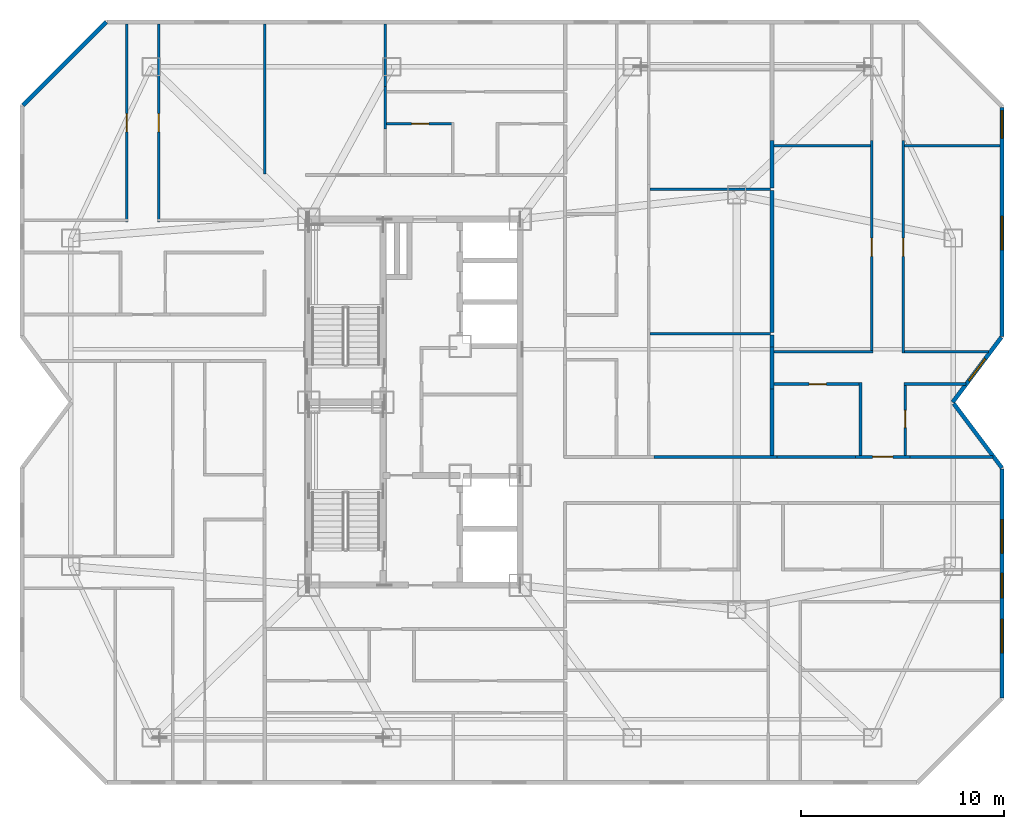
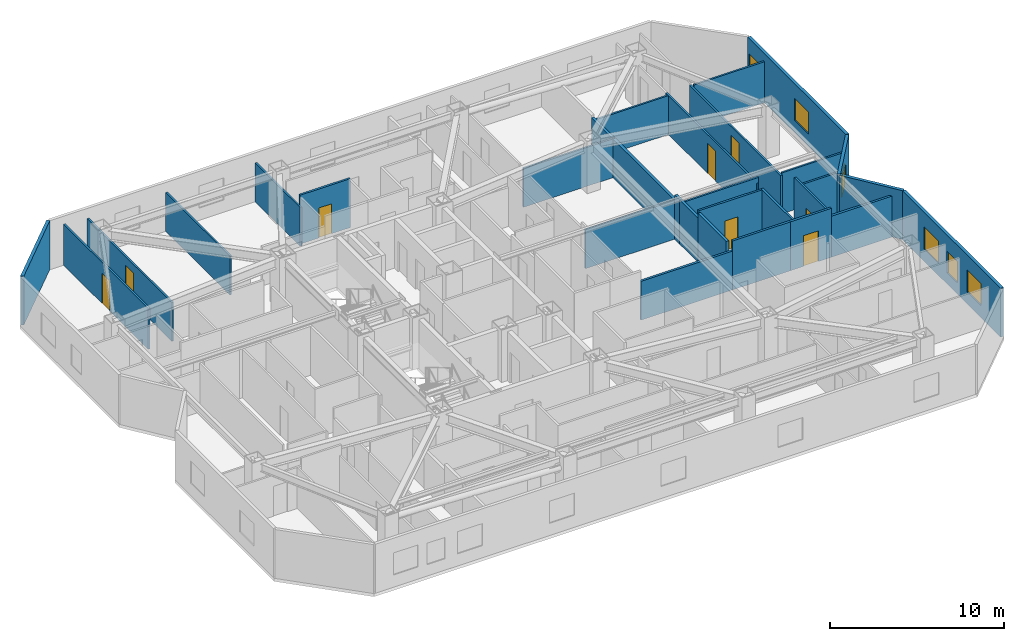
# One storey, part 9 of 11: 32 walls, 8 doors, 6 windows, 14 openings.
"""IFC4 building model written with IfcOpenShell, lengths in metres."""

from ifc_helpers import new_model, si_unit, direction, frame, frame_2d, origin, place, context, subcontext, project, spatial, rectangle, extrude, material, layer, layer_set, type_object, element, fill, save


model = new_model("IFC4")

# Units and contexts
model_context = context("Model", 3, precision=1e-05, world=origin(), true_north=direction((0.0, 1.0)))
body_context = subcontext(model_context, "Body", "Model", "MODEL_VIEW")
ifc_project = project(units=[si_unit("LENGTHUNIT", "METRE"), si_unit("AREAUNIT", "SQUARE_METRE"), si_unit("VOLUMEUNIT", "CUBIC_METRE"), si_unit("PLANEANGLEUNIT", "RADIAN"), si_unit("MASSUNIT", "GRAM", prefix="KILO")], contexts=[model_context])

# Site, building, storey
site_placement = place(None, origin())
site = spatial("IfcSite", under=ifc_project, at=site_placement, CompositionType="ELEMENT")
building_placement = place(site_placement, origin())
building = spatial("IfcBuilding", under=site, at=building_placement, Name="Khamvora Tower", CompositionType="ELEMENT")
storey_placement = place(building_placement, frame((0.0, 0.0, 185.10009765625)))
storey = spatial("IfcBuildingStorey", under=building, at=storey_placement, Name="L47", CompositionType="ELEMENT", Elevation=185.10009765625)

# Wall
ifc_material_1 = material(Name="Fire-Rated Drywall and Steel Stud", Category="steel")
ifc_layer_1 = layer(ifc_material_1, 0.14990234375)
ifc_layer_set_1 = layer_set([ifc_layer_1], Name="Fire-Rated Drywall and Steel Stud")
wall_type_1 = type_object("IfcWallType", Name="WAL-CORR-150", PredefinedType="STANDARD", material=ifc_layer_set_1)
wall_1_placement = place(storey_placement, frame((45.97412109375, 25.31494140625, 0.0), z_axis=(0.0, 0.0, 1.0), x_axis=(1.0, 0.0, 0.0)))
element("IfcWall", 1, at=wall_1_placement, inside=storey, type_object=wall_type_1, Name="L47 interior partition wall 038", PredefinedType="STANDARD", context=body_context, shape_type="SweptSolid", body=[
    extrude(rectangle(XDim=6.059814453125, YDim=0.14990234375, at=frame_2d((3.02978515625, 0.0))), origin(), (0.0, 0.0, 1.0), 2.724853515625),
])

# Wall, opening, door
wall_2_placement = place(storey_placement, frame((55.889892578125, 25.31494140625, 0.0), z_axis=(0.0, 0.0, 1.0), x_axis=(1.0, 0.0, 0.0)))
wall_2 = element("IfcWall", 2, at=wall_2_placement, inside=storey, type_object=wall_type_1, Name="L47 interior partition wall 039", PredefinedType="STANDARD", context=body_context, shape_type="SweptSolid", body=[
    extrude(rectangle(XDim=2.697998046875, YDim=0.14990234375, at=frame_2d((1.34912109375, 0.0))), origin(), (0.0, 0.0, 1.0), 3.429931640625),
])
opening_1_placement = place(wall_2_placement, frame((0.84912109375, 0.0, 0.0)))
opening_1 = element("IfcOpeningElement", 3, at=opening_1_placement, cuts=wall_2, Name="Opening D-U1", PredefinedType="OPENING", context=body_context, shape_type="SweptSolid", body=[
    extrude(rectangle(XDim=1.0, YDim=2.14990234375, at=frame_2d((0.5, 1.074951171875))), frame((0.0, 0.0849609375, 0.0), z_axis=(0.0, -1.0, 0.0), x_axis=(1.0, 0.0, 0.0)), (0.0, 0.0, 1.0), 0.169921875),
])
ifc_material_2 = material(Name="Powder-Coated Steel and Hardwood Leaf", Category="steel")
door_type_1 = type_object("IfcDoorType", Name="DOR-UNIT-1000", OperationType="NOTDEFINED", PredefinedType="DOOR", material=ifc_material_2)
door_1_placement = place(opening_1_placement, origin())
door_1 = element("IfcDoor", 4, at=door_1_placement, inside=storey, type_object=door_type_1, Name="L47 interior door COR-47ECH", OperationType="SINGLE_SWING_RIGHT", OverallHeight=2.14990234375, OverallWidth=1.0, PredefinedType="DOOR", context=body_context, shape_type="SweptSolid", body=[
    extrude(rectangle(XDim=1.0, YDim=2.14990234375, at=frame_2d((0.5, 1.074951171875))), frame((0.0, 0.02490234375, 0.0), z_axis=(0.0, -1.0, 0.0), x_axis=(1.0, 0.0, 0.0)), (0.0, 0.0, 1.0), 0.050048828125),
])
fill(opening_1, door_1)

# Walls
wall_3_placement = place(storey_placement, frame((58.587890625, 25.31494140625, 0.0), z_axis=(0.0, 0.0, 1.0), x_axis=(1.0, 0.0, 0.0)))
element("IfcWall", 5, at=wall_3_placement, inside=storey, type_object=wall_type_1, Name="L47 interior partition wall 040", PredefinedType="STANDARD", context=body_context, shape_type="SweptSolid", body=[
    extrude(rectangle(XDim=4.07421875, YDim=0.14990234375, at=frame_2d((2.037109375, 0.0))), origin(), (0.0, 0.0, 1.0), 2.8759765625),
])
wall_4_placement = place(storey_placement, frame((52.033935546875, 25.31494140625, 0.0), z_axis=(0.0, 0.0, 1.0), x_axis=(1.0, 0.0, 0.0)))
element("IfcWall", 6, at=wall_4_placement, inside=storey, type_object=wall_type_1, Name="L47 interior partition wall 041", PredefinedType="STANDARD", context=body_context, shape_type="SweptSolid", body=[
    extrude(rectangle(XDim=3.85595703125, YDim=0.14990234375, at=frame_2d((1.927978515625, 0.0))), origin(), (0.0, 0.0, 1.0), 3.429931640625),
])
ifc_material_3 = material(Name="Acoustic Double-Stud Fire Wall", Category="gypsum")
ifc_layer_2 = layer(ifc_material_3, 0.179931640625)
ifc_layer_set_2 = layer_set([ifc_layer_2], Name="Acoustic Double-Stud Fire Wall")
wall_type_2 = type_object("IfcWallType", Name="WAL-CORR-180", PredefinedType="STANDARD", material=ifc_layer_set_2)
wall_5_placement = place(storey_placement, frame((51.784912109375, 30.72412109375, 0.0), z_axis=(0.0, 0.0, 1.0), x_axis=(0.0, -1.0, 0.0)))
element("IfcWall", 7, at=wall_5_placement, inside=storey, type_object=wall_type_2, Name="L47 interior partition wall 116", PredefinedType="STANDARD", context=body_context, shape_type="SweptSolid", body=[
    extrude(rectangle(XDim=2.078125, YDim=0.179931640625, at=frame_2d((1.0390625, 0.0))), origin(), (0.0, 0.0, 1.0), 3.10693359375),
])
wall_6_placement = place(storey_placement, frame((51.784912109375, 28.64599609375, 0.0), z_axis=(0.0, 0.0, 1.0), x_axis=(0.0, -1.0, 0.0)))
element("IfcWall", 8, at=wall_6_placement, inside=storey, type_object=wall_type_2, Name="L47 interior partition wall 117", PredefinedType="STANDARD", context=body_context, shape_type="SweptSolid", body=[
    extrude(rectangle(XDim=3.263916015625, YDim=0.179931640625, at=frame_2d((1.6318359375, 0.0))), origin(), (0.0, 0.0, 1.0), 3.429931640625),
])
wall_7_placement = place(storey_placement, frame((51.784912109375, 31.299072265625, 0.0), z_axis=(0.0, 0.0, 1.0), x_axis=(0.0, -1.0, 0.0)))
element("IfcWall", 9, at=wall_7_placement, inside=storey, type_object=wall_type_2, Name="L47 interior partition wall 118", PredefinedType="STANDARD", context=body_context, shape_type="SweptSolid", body=[
    extrude(rectangle(XDim=0.574951171875, YDim=0.179931640625, at=frame_2d((0.28759765625, 0.0))), origin(), (0.0, 0.0, 1.0), 3.10693359375),
])
wall_8_placement = place(storey_placement, frame((51.784912109375, 38.403076171875, 0.0), z_axis=(0.0, 0.0, 1.0), x_axis=(0.0, -1.0, 0.0)))
element("IfcWall", 10, at=wall_8_placement, inside=storey, type_object=wall_type_2, Name="L47 interior partition wall 120", PredefinedType="STANDARD", context=body_context, shape_type="SweptSolid", body=[
    extrude(rectangle(XDim=6.97412109375, YDim=0.179931640625, at=frame_2d((3.487060546875, 0.0))), origin(), (0.0, 0.0, 1.0), 2.724853515625),
])
wall_9_placement = place(storey_placement, frame((51.784912109375, 40.867919921875, 0.0), z_axis=(0.0, 0.0, 1.0), x_axis=(0.0, -1.0, 0.0)))
element("IfcWall", 11, at=wall_9_placement, inside=storey, type_object=wall_type_2, Name="L47 interior partition wall 121", PredefinedType="STANDARD", context=body_context, shape_type="SweptSolid", body=[
    extrude(rectangle(XDim=2.3349609375, YDim=0.179931640625, at=frame_2d((1.16748046875, 0.0))), origin(), (0.0, 0.0, 1.0), 2.724853515625),
])
ifc_material_4 = material(Name="Precast concrete C40/50", Category="concrete")
ifc_layer_3 = layer(ifc_material_4, 0.199951171875)
ifc_layer_set_3 = layer_set([ifc_layer_3], Name="Precast concrete C40/50")
wall_type_3 = type_object("IfcWallType", Name="WAL-EXT-200", PredefinedType="STANDARD", material=ifc_layer_set_3)
wall_10_placement = place(storey_placement, frame((14.945068359375, 42.60400390625, 0.0), z_axis=(0.0, 0.0, 1.0), x_axis=(0.707106781187, 0.707106781187, 0.0)))
element("IfcWall", 12, at=wall_10_placement, inside=storey, type_object=wall_type_3, Name="L47 exterior facade wall 06.1", PredefinedType="STANDARD", context=body_context, shape_type="SweptSolid", body=[
    extrude(rectangle(XDim=5.79248046875, YDim=0.199951171875, at=frame_2d((2.896240234375, 0.0))), origin(), (0.0, 0.0, 1.0), 3.429931640625),
])

# Wall, openings, windows
wall_11_placement = place(storey_placement, frame((63.10009765625, 42.49609375, 0.0), z_axis=(0.0, 0.0, 1.0), x_axis=(0.0, -1.0, 0.0)))
wall_11 = element("IfcWall", 13, at=wall_11_placement, inside=storey, type_object=wall_type_3, Name="L47 exterior facade wall 09.1", PredefinedType="STANDARD", context=body_context, shape_type="SweptSolid", body=[
    extrude(rectangle(XDim=11.26318359375, YDim=0.199951171875, at=frame_2d((5.631591796875, 0.0))), origin(), (0.0, 0.0, 1.0), 3.429931640625),
])
opening_2_placement = place(wall_11_placement, frame((5.35302734375, 0.0, 0.85009765625)))
opening_2 = element("IfcOpeningElement", 14, at=opening_2_placement, cuts=wall_11, Name="Opening WN-06", PredefinedType="OPENING", context=body_context, shape_type="SweptSolid", body=[
    extrude(rectangle(XDim=1.64990234375, YDim=1.550048828125, at=frame_2d((0.824951171875, 0.77490234375))), frame((0.0, 0.10986328125, 0.0), z_axis=(0.0, -1.0, 0.0), x_axis=(1.0, 0.0, 0.0)), (0.0, 0.0, 1.0), 0.219970703125),
])
opening_3_placement = place(wall_11_placement, frame((0.156005859375, 0.0, 0.85009765625)))
opening_3 = element("IfcOpeningElement", 15, at=opening_3_placement, cuts=wall_11, Name="Opening WN-07", PredefinedType="OPENING", context=body_context, shape_type="SweptSolid", body=[
    extrude(rectangle(XDim=1.35009765625, YDim=1.5, at=frame_2d((0.675048828125, 0.75))), frame((0.0, 0.10986328125, 0.0), z_axis=(0.0, -1.0, 0.0), x_axis=(1.0, 0.0, 0.0)), (0.0, 0.0, 1.0), 0.219970703125),
])
ifc_material_5 = material(Name="Low-E Laminated Double Glazing", Category="glass")
window_type_1 = type_object("IfcWindowType", Name="WIN-VIS-1350x1500", PartitioningType="SINGLE_PANEL", PredefinedType="WINDOW", material=ifc_material_5)
window_1_placement = place(opening_3_placement, origin())
window_1 = element("IfcWindow", 16, at=window_1_placement, inside=storey, type_object=window_type_1, Name="L47 vision window 09.1.02", OverallHeight=1.5, OverallWidth=1.35009765625, PartitioningType="SINGLE_PANEL", PredefinedType="WINDOW", context=body_context, shape_type="SweptSolid", body=[
    extrude(rectangle(XDim=1.35009765625, YDim=1.5, at=frame_2d((0.675048828125, 0.75))), frame((0.0, 0.030029296875, 0.0), z_axis=(0.0, -1.0, 0.0), x_axis=(1.0, 0.0, 0.0)), (0.0, 0.0, 1.0), 0.06005859375),
])
fill(opening_3, window_1)
window_type_2 = type_object("IfcWindowType", Name="WIN-VIS-1650x1550", PartitioningType="SINGLE_PANEL", PredefinedType="WINDOW", material=ifc_material_5)
window_2_placement = place(opening_2_placement, origin())
window_2 = element("IfcWindow", 17, at=window_2_placement, inside=storey, type_object=window_type_2, Name="L47 vision window 09.1.01", OverallHeight=1.550048828125, OverallWidth=1.64990234375, PartitioningType="SINGLE_PANEL", PredefinedType="WINDOW", context=body_context, shape_type="SweptSolid", body=[
    extrude(rectangle(XDim=1.64990234375, YDim=1.550048828125, at=frame_2d((0.824951171875, 0.77490234375))), frame((0.0, 0.030029296875, 0.0), z_axis=(0.0, -1.0, 0.0), x_axis=(1.0, 0.0, 0.0)), (0.0, 0.0, 1.0), 0.06005859375),
])
fill(opening_2, window_2)

# Wall, opening, window
wall_12_placement = place(storey_placement, frame((63.069091796875, 31.19091796875, 0.0), z_axis=(0.0, 0.0, 1.0), x_axis=(-0.600137081448, -0.799897170561, 0.0)))
wall_12 = element("IfcWall", 18, at=wall_12_placement, inside=storey, type_object=wall_type_3, Name="L47 exterior facade wall 10.1", PredefinedType="STANDARD", context=body_context, shape_type="SweptSolid", body=[
    extrude(rectangle(XDim=3.9892578125, YDim=0.199951171875, at=frame_2d((1.99462890625, 0.0))), origin(), (0.0, 0.0, 1.0), 3.429931640625),
])
opening_4_placement = place(wall_12_placement, frame((1.318115234375, 0.0, 0.85009765625)))
opening_4 = element("IfcOpeningElement", 19, at=opening_4_placement, cuts=wall_12, Name="Opening WN-07", PredefinedType="OPENING", context=body_context, shape_type="SweptSolid", body=[
    extrude(rectangle(XDim=1.35009765625, YDim=1.5, at=frame_2d((0.675048828125, 0.75))), frame((0.0, 0.10986328125, 0.0), z_axis=(0.0, -1.0, 0.0), x_axis=(1.0, 0.0, 0.0)), (0.0, 0.0, 1.0), 0.219970703125),
])
window_3_placement = place(opening_4_placement, origin())
window_3 = element("IfcWindow", 20, at=window_3_placement, inside=storey, type_object=window_type_1, Name="L47 vision window 10.1.01", OverallHeight=1.5, OverallWidth=1.35009765625, PartitioningType="SINGLE_PANEL", PredefinedType="WINDOW", context=body_context, shape_type="SweptSolid", body=[
    extrude(rectangle(XDim=1.35009765625, YDim=1.5, at=frame_2d((0.675048828125, 0.75))), frame((0.0, 0.030029296875, 0.0), z_axis=(0.0, -1.0, 0.0), x_axis=(1.0, 0.0, 0.0)), (0.0, 0.0, 1.0), 0.06005859375),
])
fill(opening_4, window_3)

# Wall
wall_13_placement = place(storey_placement, frame((60.72705078125, 27.930908203125, 0.0), z_axis=(0.0, 0.0, 1.0), x_axis=(0.600029630681, -0.799977776132, 0.0)))
element("IfcWall", 21, at=wall_13_placement, inside=storey, type_object=wall_type_3, Name="L47 exterior facade wall 11.1", PredefinedType="STANDARD", context=body_context, shape_type="SweptSolid", body=[
    extrude(rectangle(XDim=3.954833984375, YDim=0.199951171875, at=frame_2d((1.9775390625, 0.0))), origin(), (0.0, 0.0, 1.0), 3.429931640625),
])

# Wall, openings, windows
wall_14_placement = place(storey_placement, frame((63.10009765625, 24.717041015625, 0.0), z_axis=(0.0, 0.0, 1.0), x_axis=(0.0, -1.0, 0.0)))
wall_14 = element("IfcWall", 22, at=wall_14_placement, inside=storey, type_object=wall_type_3, Name="L47 exterior facade wall 12.1", PredefinedType="STANDARD", context=body_context, shape_type="SweptSolid", body=[
    extrude(rectangle(XDim=11.276123046875, YDim=0.199951171875, at=frame_2d((5.63818359375, 0.0))), origin(), (0.0, 0.0, 1.0), 3.429931640625),
])
opening_5_placement = place(wall_14_placement, frame((2.490966796875, 0.0, 0.85009765625)))
opening_5 = element("IfcOpeningElement", 23, at=opening_5_placement, cuts=wall_14, Name="Opening WN-06", PredefinedType="OPENING", context=body_context, shape_type="SweptSolid", body=[
    extrude(rectangle(XDim=1.64990234375, YDim=1.550048828125, at=frame_2d((0.824951171875, 0.77490234375))), frame((0.0, 0.10986328125, 0.0), z_axis=(0.0, -1.0, 0.0), x_axis=(1.0, 0.0, 0.0)), (0.0, 0.0, 1.0), 0.219970703125),
])
opening_6_placement = place(wall_14_placement, frame((5.14111328125, 0.0, 0.800048828125)))
opening_6 = element("IfcOpeningElement", 24, at=opening_6_placement, cuts=wall_14, Name="Opening WN-03", PredefinedType="OPENING", context=body_context, shape_type="SweptSolid", body=[
    extrude(rectangle(XDim=1.199951171875, YDim=1.5, at=frame_2d((0.60009765625, 0.75))), frame((0.0, 0.10986328125, 0.0), z_axis=(0.0, -1.0, 0.0), x_axis=(1.0, 0.0, 0.0)), (0.0, 0.0, 1.0), 0.219970703125),
])
opening_7_placement = place(wall_14_placement, frame((7.39501953125, 0.0, 0.85009765625)))
opening_7 = element("IfcOpeningElement", 25, at=opening_7_placement, cuts=wall_14, Name="Opening WN-06", PredefinedType="OPENING", context=body_context, shape_type="SweptSolid", body=[
    extrude(rectangle(XDim=1.64990234375, YDim=1.550048828125, at=frame_2d((0.824951171875, 0.77490234375))), frame((0.0, 0.10986328125, 0.0), z_axis=(0.0, -1.0, 0.0), x_axis=(1.0, 0.0, 0.0)), (0.0, 0.0, 1.0), 0.219970703125),
])
window_type_3 = type_object("IfcWindowType", Name="WIN-VIS-1200x1500", PartitioningType="SINGLE_PANEL", PredefinedType="WINDOW", material=ifc_material_5)
window_4_placement = place(opening_6_placement, origin())
window_4 = element("IfcWindow", 26, at=window_4_placement, inside=storey, type_object=window_type_3, Name="L47 vision window 12.1.02", OverallHeight=1.5, OverallWidth=1.199951171875, PartitioningType="SINGLE_PANEL", PredefinedType="WINDOW", context=body_context, shape_type="SweptSolid", body=[
    extrude(rectangle(XDim=1.199951171875, YDim=1.5, at=frame_2d((0.60009765625, 0.75))), frame((0.0, 0.030029296875, 0.0), z_axis=(0.0, -1.0, 0.0), x_axis=(1.0, 0.0, 0.0)), (0.0, 0.0, 1.0), 0.06005859375),
])
fill(opening_6, window_4)
window_5_placement = place(opening_5_placement, origin())
window_5 = element("IfcWindow", 27, at=window_5_placement, inside=storey, type_object=window_type_2, Name="L47 vision window 12.1.01", OverallHeight=1.550048828125, OverallWidth=1.64990234375, PartitioningType="SINGLE_PANEL", PredefinedType="WINDOW", context=body_context, shape_type="SweptSolid", body=[
    extrude(rectangle(XDim=1.64990234375, YDim=1.550048828125, at=frame_2d((0.824951171875, 0.77490234375))), frame((0.0, 0.030029296875, 0.0), z_axis=(0.0, -1.0, 0.0), x_axis=(1.0, 0.0, 0.0)), (0.0, 0.0, 1.0), 0.06005859375),
])
fill(opening_5, window_5)
window_6_placement = place(opening_7_placement, origin())
window_6 = element("IfcWindow", 28, at=window_6_placement, inside=storey, type_object=window_type_2, Name="L47 vision window 12.1.03", OverallHeight=1.550048828125, OverallWidth=1.64990234375, PartitioningType="SINGLE_PANEL", PredefinedType="WINDOW", context=body_context, shape_type="SweptSolid", body=[
    extrude(rectangle(XDim=1.64990234375, YDim=1.550048828125, at=frame_2d((0.824951171875, 0.77490234375))), frame((0.0, 0.030029296875, 0.0), z_axis=(0.0, -1.0, 0.0), x_axis=(1.0, 0.0, 0.0)), (0.0, 0.0, 1.0), 0.06005859375),
])
fill(opening_7, window_6)

# Walls
ifc_material_6 = material(Name="Gypsum Plasterboard Partition", Category="gypsum")
ifc_layer_4 = layer(ifc_material_6, 0.1201171875)
ifc_layer_set_4 = layer_set([ifc_layer_4], Name="Gypsum Plasterboard Partition")
wall_type_4 = type_object("IfcWallType", Name="WAL-PART-120", PredefinedType="PARTITIONING", material=ifc_layer_set_4)
wall_15_placement = place(storey_placement, frame((26.8349609375, 39.22998046875, 0.0), z_axis=(0.0, 0.0, 1.0), x_axis=(0.0, 1.0, 0.0)))
element("IfcWall", 29, at=wall_15_placement, inside=storey, type_object=wall_type_4, Name="L47 interior partition wall 042", PredefinedType="PARTITIONING", context=body_context, shape_type="SweptSolid", body=[
    extrude(rectangle(XDim=7.3779296875, YDim=0.1201171875, at=frame_2d((3.68896484375, 0.0))), origin(), (0.0, 0.0, 1.0), 2.724853515625),
])
wall_16_placement = place(storey_placement, frame((32.764892578125, 43.52392578125, 0.0), z_axis=(0.0, 0.0, 1.0), x_axis=(0.0, -1.0, 0.0)))
element("IfcWall", 30, at=wall_16_placement, inside=storey, type_object=wall_type_4, Name="L47 interior partition wall 043", PredefinedType="PARTITIONING", context=body_context, shape_type="SweptSolid", body=[
    extrude(rectangle(XDim=2.077880859375, YDim=0.1201171875, at=frame_2d((1.0390625, 0.0))), origin(), (0.0, 0.0, 1.0), 2.724853515625),
])
wall_17_placement = place(storey_placement, frame((32.764892578125, 46.60791015625, 0.0), z_axis=(0.0, 0.0, 1.0), x_axis=(0.0, -1.0, 0.0)))
element("IfcWall", 31, at=wall_17_placement, inside=storey, type_object=wall_type_4, Name="L47 interior partition wall 045", PredefinedType="PARTITIONING", context=body_context, shape_type="SweptSolid", body=[
    extrude(rectangle(XDim=3.083984375, YDim=0.1201171875, at=frame_2d((1.5419921875, 0.0))), origin(), (0.0, 0.0, 1.0), 2.724853515625),
])

# Wall, opening, door
wall_18_placement = place(storey_placement, frame((20.054931640625, 36.8759765625, 0.0), z_axis=(0.0, 0.0, 1.0), x_axis=(0.0, 1.0, 0.0)))
wall_18 = element("IfcWall", 32, at=wall_18_placement, inside=storey, type_object=wall_type_4, Name="L47 interior partition wall 068", PredefinedType="PARTITIONING", context=body_context, shape_type="SweptSolid", body=[
    extrude(rectangle(XDim=9.73193359375, YDim=0.1201171875, at=frame_2d((4.865966796875, 0.0))), origin(), (0.0, 0.0, 1.0), 2.8759765625),
])
opening_8_placement = place(wall_18_placement, frame((4.416015625, 0.0, 0.0)))
opening_8 = element("IfcOpeningElement", 33, at=opening_8_placement, cuts=wall_18, Name="Opening D-RM1", PredefinedType="OPENING", context=body_context, shape_type="SweptSolid", body=[
    extrude(rectangle(XDim=0.89990234375, YDim=2.10009765625, at=frame_2d((0.449951171875, 1.050048828125))), frame((0.0, 0.070068359375, 0.0), z_axis=(0.0, -1.0, 0.0), x_axis=(1.0, 0.0, 0.0)), (0.0, 0.0, 1.0), 0.14013671875),
])
door_type_2 = type_object("IfcDoorType", Name="DOR-ROOM-900", OperationType="NOTDEFINED", PredefinedType="DOOR", material=ifc_material_2)
door_2_placement = place(opening_8_placement, origin())
door_2 = element("IfcDoor", 34, at=door_2_placement, inside=storey, type_object=door_type_2, Name="L47 interior door 47WBH-47WBR1", OperationType="SINGLE_SWING_RIGHT", OverallHeight=2.10009765625, OverallWidth=0.89990234375, PredefinedType="DOOR", context=body_context, shape_type="SweptSolid", body=[
    extrude(rectangle(XDim=0.89990234375, YDim=2.10009765625, at=frame_2d((0.449951171875, 1.050048828125))), frame((0.0, 0.02490234375, 0.0), z_axis=(0.0, -1.0, 0.0), x_axis=(1.0, 0.0, 0.0)), (0.0, 0.0, 1.0), 0.050048828125),
])
fill(opening_8, door_2)

wall_19_placement = place(storey_placement, frame((21.625, 46.60791015625, 0.0), z_axis=(0.0, 0.0, 1.0), x_axis=(0.0, -1.0, 0.0)))
wall_19 = element("IfcWall", 35, at=wall_19_placement, inside=storey, type_object=wall_type_4, Name="L47 interior partition wall 069", PredefinedType="PARTITIONING", context=body_context, shape_type="SweptSolid", body=[
    extrude(rectangle(XDim=9.73193359375, YDim=0.1201171875, at=frame_2d((4.865966796875, 0.0))), origin(), (0.0, 0.0, 1.0), 2.724853515625),
])
opening_9_placement = place(wall_19_placement, frame((4.416015625, 0.0, 0.0)))
opening_9 = element("IfcOpeningElement", 36, at=opening_9_placement, cuts=wall_19, Name="Opening D-RM1", PredefinedType="OPENING", context=body_context, shape_type="SweptSolid", body=[
    extrude(rectangle(XDim=0.89990234375, YDim=2.10009765625, at=frame_2d((0.449951171875, 1.050048828125))), frame((0.0, 0.070068359375, 0.0), z_axis=(0.0, -1.0, 0.0), x_axis=(1.0, 0.0, 0.0)), (0.0, 0.0, 1.0), 0.14013671875),
])
door_3_placement = place(opening_9_placement, origin())
door_3 = element("IfcDoor", 37, at=door_3_placement, inside=storey, type_object=door_type_2, Name="L47 interior door 47WBH-47WBR2", OperationType="SINGLE_SWING_LEFT", OverallHeight=2.10009765625, OverallWidth=0.89990234375, PredefinedType="DOOR", context=body_context, shape_type="SweptSolid", body=[
    extrude(rectangle(XDim=0.89990234375, YDim=2.10009765625, at=frame_2d((0.449951171875, 1.050048828125))), frame((0.0, 0.02490234375, 0.0), z_axis=(0.0, -1.0, 0.0), x_axis=(1.0, 0.0, 0.0)), (0.0, 0.0, 1.0), 0.050048828125),
])
fill(opening_9, door_3)

# Walls
for number, where, z_axis, x_axis, name in (
    (38, (45.779052734375, 31.364013671875, 0.0), (0.0, 0.0, 1.0), (1.0, 0.0, 0.0), "L47 interior partition wall 115"),
    (39, (45.779052734375, 38.468017578125, 0.0), (0.0, 0.0, 1.0), (1.0, 0.0, 0.0), "L47 interior partition wall 119"),
):
    element("IfcWall", number, at=place(storey_placement, frame(where, z_axis=z_axis, x_axis=x_axis)), inside=storey, type_object=wall_type_4, Name=name, PredefinedType="PARTITIONING", context=body_context, shape_type="SweptSolid", body=[
        extrude(rectangle(XDim=5.94091796875, YDim=0.1201171875, at=frame_2d((2.970458984375, 0.0))), origin(), (0.0, 0.0, 1.0), 2.724853515625),
    ])
wall_20_placement = place(storey_placement, frame((51.866943359375, 30.47509765625, 0.0), z_axis=(0.0, 0.0, 1.0), x_axis=(1.0, 0.0, 0.0)))
element("IfcWall", 40, at=wall_20_placement, inside=storey, type_object=wall_type_4, Name="L47 interior partition wall 127", PredefinedType="PARTITIONING", context=body_context, shape_type="SweptSolid", body=[
    extrude(rectangle(XDim=4.883056640625, YDim=0.1201171875, at=frame_2d((2.44140625, 0.0))), origin(), (0.0, 0.0, 1.0), 3.10693359375),
])

# Wall, opening, door
wall_21_placement = place(storey_placement, frame((56.68505859375, 30.409912109375, 0.0), z_axis=(0.0, 0.0, 1.0), x_axis=(0.0, 1.0, 0.0)))
wall_21 = element("IfcWall", 41, at=wall_21_placement, inside=storey, type_object=wall_type_4, Name="L47 interior partition wall 128", PredefinedType="PARTITIONING", context=body_context, shape_type="SweptSolid", body=[
    extrude(rectangle(XDim=10.4580078125, YDim=0.1201171875, at=frame_2d((5.22900390625, 0.0))), origin(), (0.0, 0.0, 1.0), 2.724853515625),
])
opening_10_placement = place(wall_21_placement, frame((4.758056640625, 0.0, 0.0)))
opening_10 = element("IfcOpeningElement", 42, at=opening_10_placement, cuts=wall_21, Name="Opening D-RM1", PredefinedType="OPENING", context=body_context, shape_type="SweptSolid", body=[
    extrude(rectangle(XDim=0.89990234375, YDim=2.10009765625, at=frame_2d((0.449951171875, 1.050048828125))), frame((0.0, 0.070068359375, 0.0), z_axis=(0.0, -1.0, 0.0), x_axis=(1.0, 0.0, 0.0)), (0.0, 0.0, 1.0), 0.14013671875),
])
door_4_placement = place(opening_10_placement, origin())
door_4 = element("IfcDoor", 43, at=door_4_placement, inside=storey, type_object=door_type_2, Name="L47 interior door 47ECH-47ECR1", OperationType="SINGLE_SWING_LEFT", OverallHeight=2.10009765625, OverallWidth=0.89990234375, PredefinedType="DOOR", context=body_context, shape_type="SweptSolid", body=[
    extrude(rectangle(XDim=0.89990234375, YDim=2.10009765625, at=frame_2d((0.449951171875, 1.050048828125))), frame((0.0, 0.02490234375, 0.0), z_axis=(0.0, -1.0, 0.0), x_axis=(1.0, 0.0, 0.0)), (0.0, 0.0, 1.0), 0.050048828125),
])
fill(opening_10, door_4)

wall_22_placement = place(storey_placement, frame((58.2548828125, 40.867919921875, 0.0), z_axis=(0.0, 0.0, 1.0), x_axis=(0.0, -1.0, 0.0)))
wall_22 = element("IfcWall", 44, at=wall_22_placement, inside=storey, type_object=wall_type_4, Name="L47 interior partition wall 130", PredefinedType="PARTITIONING", context=body_context, shape_type="SweptSolid", body=[
    extrude(rectangle(XDim=10.4580078125, YDim=0.1201171875, at=frame_2d((5.22900390625, 0.0))), origin(), (0.0, 0.0, 1.0), 2.724853515625),
])
opening_11_placement = place(wall_22_placement, frame((4.800048828125, 0.0, 0.0)))
opening_11 = element("IfcOpeningElement", 45, at=opening_11_placement, cuts=wall_22, Name="Opening D-RM1", PredefinedType="OPENING", context=body_context, shape_type="SweptSolid", body=[
    extrude(rectangle(XDim=0.89990234375, YDim=2.10009765625, at=frame_2d((0.449951171875, 1.050048828125))), frame((0.0, 0.070068359375, 0.0), z_axis=(0.0, -1.0, 0.0), x_axis=(1.0, 0.0, 0.0)), (0.0, 0.0, 1.0), 0.14013671875),
])
door_5_placement = place(opening_11_placement, origin())
door_5 = element("IfcDoor", 46, at=door_5_placement, inside=storey, type_object=door_type_2, Name="L47 interior door 47ECH-47ECR3", OperationType="SINGLE_SWING_RIGHT", OverallHeight=2.10009765625, OverallWidth=0.89990234375, PredefinedType="DOOR", context=body_context, shape_type="SweptSolid", body=[
    extrude(rectangle(XDim=0.89990234375, YDim=2.10009765625, at=frame_2d((0.449951171875, 1.050048828125))), frame((0.0, 0.02490234375, 0.0), z_axis=(0.0, -1.0, 0.0), x_axis=(1.0, 0.0, 0.0)), (0.0, 0.0, 1.0), 0.050048828125),
])
fill(opening_11, door_5)

# Walls
wall_23_placement = place(storey_placement, frame((58.306884765625, 30.47509765625, 0.0), z_axis=(0.0, 0.0, 1.0), x_axis=(1.0, 0.0, 0.0)))
element("IfcWall", 47, at=wall_23_placement, inside=storey, type_object=wall_type_4, Name="L47 interior partition wall 131", PredefinedType="PARTITIONING", context=body_context, shape_type="SweptSolid", body=[
    extrude(rectangle(XDim=4.1201171875, YDim=0.1201171875, at=frame_2d((2.06005859375, 0.0))), origin(), (0.0, 0.0, 1.0), 2.8759765625),
])
wall_24_placement = place(storey_placement, frame((51.866943359375, 40.618896484375, 0.0), z_axis=(0.0, 0.0, 1.0), x_axis=(1.0, 0.0, 0.0)))
element("IfcWall", 48, at=wall_24_placement, inside=storey, type_object=wall_type_4, Name="L47 interior partition wall 133", PredefinedType="PARTITIONING", context=body_context, shape_type="SweptSolid", body=[
    extrude(rectangle(XDim=4.76416015625, YDim=0.1201171875, at=frame_2d((2.382080078125, 0.0))), origin(), (0.0, 0.0, 1.0), 2.724853515625),
])
wall_25_placement = place(storey_placement, frame((58.30908203125, 40.618896484375, 0.0), z_axis=(0.0, 0.0, 1.0), x_axis=(1.0, 0.0, 0.0)))
element("IfcWall", 49, at=wall_25_placement, inside=storey, type_object=wall_type_4, Name="L47 interior partition wall 134", PredefinedType="PARTITIONING", context=body_context, shape_type="SweptSolid", body=[
    extrude(rectangle(XDim=4.698974609375, YDim=0.1201171875, at=frame_2d((2.349609375, 0.0))), origin(), (0.0, 0.0, 1.0), 2.8759765625),
])

# Wall, opening, door
ifc_material_7 = material(Name="Moisture-Resistant Plasterboard Partition", Category="gypsum")
ifc_layer_5 = layer(ifc_material_7, 0.135009765625)
ifc_layer_set_5 = layer_set([ifc_layer_5], Name="Moisture-Resistant Plasterboard Partition")
wall_type_5 = type_object("IfcWallType", Name="WAL-WET-135", PredefinedType="PARTITIONING", material=ifc_layer_set_5)
wall_26_placement = place(storey_placement, frame((36.155029296875, 41.695068359375, 0.0), z_axis=(0.0, 0.0, 1.0), x_axis=(-1.0, 0.0, 0.0)))
wall_26 = element("IfcWall", 50, at=wall_26_placement, inside=storey, type_object=wall_type_5, Name="L47 interior partition wall 083", PredefinedType="PARTITIONING", context=body_context, shape_type="SweptSolid", body=[
    extrude(rectangle(XDim=3.3359375, YDim=0.135009765625, at=frame_2d((1.66796875, 0.0))), origin(), (0.0, 0.0, 1.0), 3.429931640625),
])
opening_12_placement = place(wall_26_placement, frame((1.242919921875, 0.0, 0.0)))
opening_12 = element("IfcOpeningElement", 51, at=opening_12_placement, cuts=wall_26, Name="Opening D-WC1", PredefinedType="OPENING", context=body_context, shape_type="SweptSolid", body=[
    extrude(rectangle(XDim=0.85009765625, YDim=2.10009765625, at=frame_2d((0.425048828125, 1.050048828125))), frame((0.0, 0.077392578125, 0.0), z_axis=(0.0, -1.0, 0.0), x_axis=(1.0, 0.0, 0.0)), (0.0, 0.0, 1.0), 0.155029296875),
])
door_type_3 = type_object("IfcDoorType", Name="DOR-WET-850", OperationType="NOTDEFINED", PredefinedType="DOOR", material=ifc_material_2)
door_6_placement = place(opening_12_placement, origin())
door_6 = element("IfcDoor", 52, at=door_6_placement, inside=storey, type_object=door_type_3, Name="L47 interior door 47NAH-47NAB", OperationType="SINGLE_SWING_RIGHT", OverallHeight=2.10009765625, OverallWidth=0.85009765625, PredefinedType="DOOR", context=body_context, shape_type="SweptSolid", body=[
    extrude(rectangle(XDim=0.85009765625, YDim=2.10009765625, at=frame_2d((0.425048828125, 1.050048828125))), frame((0.0, 0.02490234375, 0.0), z_axis=(0.0, -1.0, 0.0), x_axis=(1.0, 0.0, 0.0)), (0.0, 0.0, 1.0), 0.050048828125),
])
fill(opening_12, door_6)

# Wall
wall_27_placement = place(storey_placement, frame((61.320068359375, 28.89501953125, 0.0), z_axis=(0.0, 0.0, 1.0), x_axis=(-1.0, 0.0, 0.0)))
element("IfcWall", 53, at=wall_27_placement, inside=storey, type_object=wall_type_5, Name="L47 interior partition wall 123", PredefinedType="PARTITIONING", context=body_context, shape_type="SweptSolid", body=[
    extrude(rectangle(XDim=3.046142578125, YDim=0.135009765625, at=frame_2d((1.52294921875, 0.0))), origin(), (0.0, 0.0, 1.0), 2.8759765625),
])

# Wall, opening, door
wall_28_placement = place(storey_placement, frame((58.339111328125, 28.9599609375, 0.0), z_axis=(0.0, 0.0, 1.0), x_axis=(0.0, -1.0, 0.0)))
wall_28 = element("IfcWall", 54, at=wall_28_placement, inside=storey, type_object=wall_type_5, Name="L47 interior partition wall 124", PredefinedType="PARTITIONING", context=body_context, shape_type="SweptSolid", body=[
    extrude(rectangle(XDim=3.577880859375, YDim=0.135009765625, at=frame_2d((1.7890625, 0.0))), origin(), (0.0, 0.0, 1.0), 3.429931640625),
])
opening_13_placement = place(wall_28_placement, frame((1.364013671875, 0.0, 0.0)))
opening_13 = element("IfcOpeningElement", 55, at=opening_13_placement, cuts=wall_28, Name="Opening D-WC1", PredefinedType="OPENING", context=body_context, shape_type="SweptSolid", body=[
    extrude(rectangle(XDim=0.85009765625, YDim=2.10009765625, at=frame_2d((0.425048828125, 1.050048828125))), frame((0.0, 0.077392578125, 0.0), z_axis=(0.0, -1.0, 0.0), x_axis=(1.0, 0.0, 0.0)), (0.0, 0.0, 1.0), 0.155029296875),
])
door_7_placement = place(opening_13_placement, origin())
door_7 = element("IfcDoor", 56, at=door_7_placement, inside=storey, type_object=door_type_3, Name="L47 interior door 47ECH-47ECB", OperationType="SINGLE_SWING_LEFT", OverallHeight=2.10009765625, OverallWidth=0.85009765625, PredefinedType="DOOR", context=body_context, shape_type="SweptSolid", body=[
    extrude(rectangle(XDim=0.85009765625, YDim=2.10009765625, at=frame_2d((0.425048828125, 1.050048828125))), frame((0.0, 0.02490234375, 0.0), z_axis=(0.0, -1.0, 0.0), x_axis=(1.0, 0.0, 0.0)), (0.0, 0.0, 1.0), 0.050048828125),
])
fill(opening_13, door_7)

# Wall
wall_29_placement = place(storey_placement, frame((56.138916015625, 25.382080078125, 0.0), z_axis=(0.0, 0.0, 1.0), x_axis=(0.0, 1.0, 0.0)))
element("IfcWall", 57, at=wall_29_placement, inside=storey, type_object=wall_type_5, Name="L47 interior partition wall 125", PredefinedType="PARTITIONING", context=body_context, shape_type="SweptSolid", body=[
    extrude(rectangle(XDim=3.577880859375, YDim=0.135009765625, at=frame_2d((1.7890625, 0.0))), origin(), (0.0, 0.0, 1.0), 3.429931640625),
])

# Wall, opening, door
wall_30_placement = place(storey_placement, frame((56.2041015625, 28.89501953125, 0.0), z_axis=(0.0, 0.0, 1.0), x_axis=(-1.0, 0.0, 0.0)))
wall_30 = element("IfcWall", 58, at=wall_30_placement, inside=storey, type_object=wall_type_5, Name="L47 interior partition wall 126", PredefinedType="PARTITIONING", context=body_context, shape_type="SweptSolid", body=[
    extrude(rectangle(XDim=4.337158203125, YDim=0.135009765625, at=frame_2d((2.16845703125, 0.0))), origin(), (0.0, 0.0, 1.0), 3.429931640625),
])
opening_14_placement = place(wall_30_placement, frame((1.742919921875, 0.0, 0.0)))
opening_14 = element("IfcOpeningElement", 59, at=opening_14_placement, cuts=wall_30, Name="Opening D-RM2", PredefinedType="OPENING", context=body_context, shape_type="SweptSolid", body=[
    extrude(rectangle(XDim=0.85009765625, YDim=2.10009765625, at=frame_2d((0.425048828125, 1.050048828125))), frame((0.0, 0.077392578125, 0.0), z_axis=(0.0, -1.0, 0.0), x_axis=(1.0, 0.0, 0.0)), (0.0, 0.0, 1.0), 0.155029296875),
])
door_type_4 = type_object("IfcDoorType", Name="DOR-ROOM-850", OperationType="NOTDEFINED", PredefinedType="DOOR", material=ifc_material_2)
door_8_placement = place(opening_14_placement, origin())
door_8 = element("IfcDoor", 60, at=door_8_placement, inside=storey, type_object=door_type_4, Name="L47 interior door 47ECH-47ECK", OperationType="SINGLE_SWING_RIGHT", OverallHeight=2.10009765625, OverallWidth=0.85009765625, PredefinedType="DOOR", context=body_context, shape_type="SweptSolid", body=[
    extrude(rectangle(XDim=0.85009765625, YDim=2.10009765625, at=frame_2d((0.425048828125, 1.050048828125))), frame((0.0, 0.02490234375, 0.0), z_axis=(0.0, -1.0, 0.0), x_axis=(1.0, 0.0, 0.0)), (0.0, 0.0, 1.0), 0.050048828125),
])
fill(opening_14, door_8)

save(model, "model.ifc")
